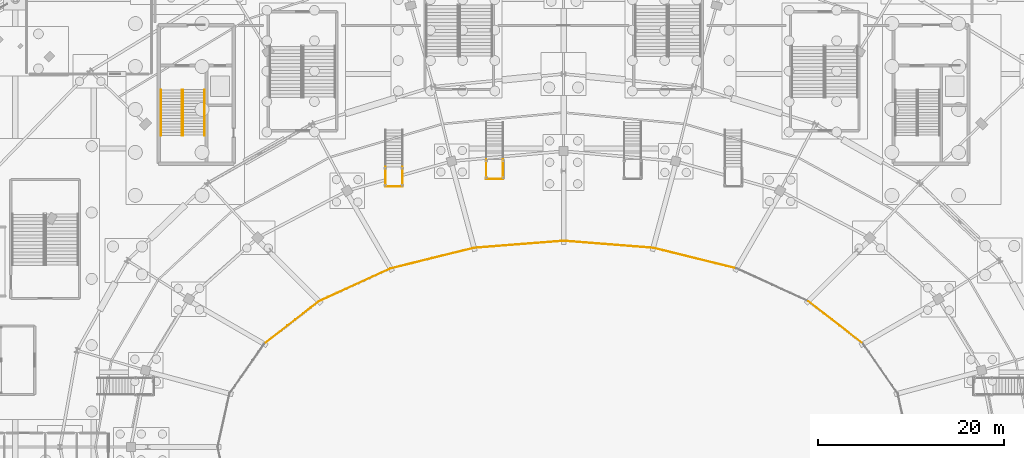
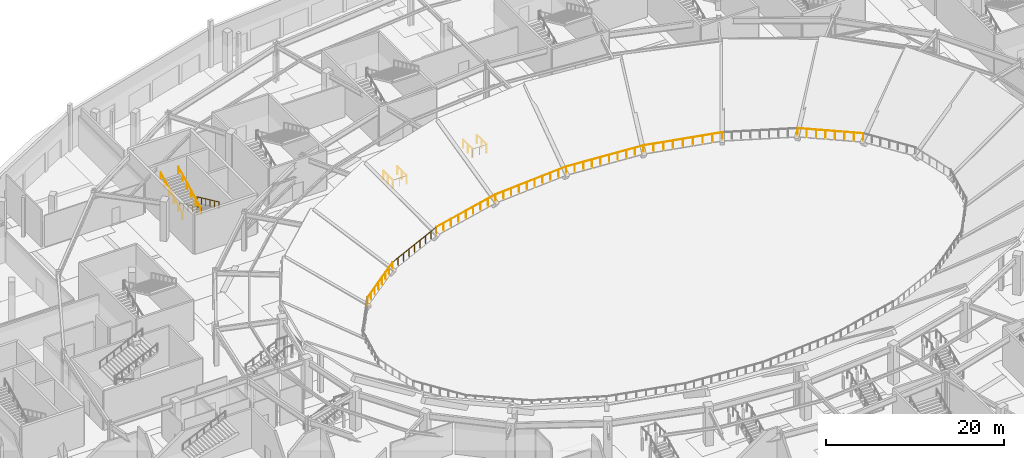
# One storey, part 79 of 93: 17 railings.
"""IFC4 building model written with IfcOpenShell, lengths in metres."""

from ifc_helpers import new_model, si_unit, direction, frame, origin, origin_2d, place, context, subcontext, project, spatial, circle, extrude, material, type_object, element, save


model = new_model("IFC4")

# Units and contexts
model_context = context("Model", 3, precision=1e-05, world=origin(), true_north=direction((0.0, 1.0)))
body_context = subcontext(model_context, "Body", "Model", "MODEL_VIEW")
ifc_project = project(units=[si_unit("LENGTHUNIT", "METRE"), si_unit("AREAUNIT", "SQUARE_METRE"), si_unit("VOLUMEUNIT", "CUBIC_METRE"), si_unit("PLANEANGLEUNIT", "RADIAN"), si_unit("MASSUNIT", "GRAM", prefix="KILO")], contexts=[model_context])

# Site, building, storey
site_placement = place(None, origin())
site = spatial("IfcSite", under=ifc_project, at=site_placement, CompositionType="ELEMENT")
building_placement = place(site_placement, origin())
building = spatial("IfcBuilding", under=site, at=building_placement, Name="Kalgoora Escarpment Arena", CompositionType="ELEMENT")
storey_placement = place(building_placement, origin())
storey = spatial("IfcBuildingStorey", under=building, at=storey_placement, Name="L00", CompositionType="ELEMENT", Elevation=0.0)

# Railings
ifc_material_1 = material(Name="Galvanised & powdercoated tubular steel", Category="steel")
railing_type_1 = type_object("IfcRailingType", Name="RAL-GUARD-1120", PredefinedType="GUARDRAIL", material=ifc_material_1)
for number, where, name in (
    (1, (73.300048828125, 94.0400390625, 1.949951171875), "Vomitory VST01 landing guard L"),
    (2, (75.10009765625, 94.0400390625, 1.949951171875), "Vomitory VST01 landing guard R"),
):
    element("IfcRailing", number, at=place(storey_placement, frame(where)), inside=storey, type_object=railing_type_1, Name=name, PredefinedType="GUARDRAIL", context=body_context, shape_type="SweptSolid", body=[
        extrude(circle(Radius=0.02392578125, at=origin_2d()), frame((0.0, 0.0, 1.09619140625), z_axis=(0.0, -1.0, 0.0), x_axis=(1.0, 0.0, 0.0)), (0.0, 0.0, 1.0), 2.10009765625),
        extrude(circle(Radius=0.02099609375, at=origin_2d()), origin(), (0.0, 0.0, 1.0), 1.072021484375),
        extrude(circle(Radius=0.02099609375, at=origin_2d()), frame((0.0, -1.050048828125, 0.0)), (0.0, 0.0, 1.0), 1.072021484375),
        extrude(circle(Radius=0.02099609375, at=origin_2d()), frame((0.0, -2.10009765625, 0.0)), (0.0, 0.0, 1.0), 1.072021484375),
    ])
railing_1_placement = place(storey_placement, frame((73.280029296875, 91.93994140625, 1.949951171875)))
element("IfcRailing", 3, at=railing_1_placement, inside=storey, type_object=railing_type_1, Name="Vomitory VST01 landing end guard", PredefinedType="GUARDRAIL", context=body_context, shape_type="SweptSolid", body=[
    extrude(circle(Radius=0.02392578125, at=origin_2d()), frame((0.0, 0.0, 1.09619140625), z_axis=(1.0, 0.0, 0.0), x_axis=(0.0, 1.0, 0.0)), (0.0, 0.0, 1.0), 1.840087890625),
    extrude(circle(Radius=0.02099609375, at=origin_2d()), origin(), (0.0, 0.0, 1.0), 1.072021484375),
    extrude(circle(Radius=0.02099609375, at=origin_2d()), frame((0.919921875, 0.0, 0.0)), (0.0, 0.0, 1.0), 1.072021484375),
    extrude(circle(Radius=0.02099609375, at=origin_2d()), frame((1.840087890625, 0.0, 0.0)), (0.0, 0.0, 1.0), 1.072021484375),
])
for number, where, name in (
    (4, (84.10009765625, 94.840087890625, 1.949951171875), "Vomitory VST02 landing guard L"),
    (5, (85.89990234375, 94.840087890625, 1.949951171875), "Vomitory VST02 landing guard R"),
):
    element("IfcRailing", number, at=place(storey_placement, frame(where)), inside=storey, type_object=railing_type_1, Name=name, PredefinedType="GUARDRAIL", context=body_context, shape_type="SweptSolid", body=[
        extrude(circle(Radius=0.02392578125, at=origin_2d()), frame((0.0, 0.0, 1.09619140625), z_axis=(0.0, -1.0, 0.0), x_axis=(1.0, 0.0, 0.0)), (0.0, 0.0, 1.0), 2.10009765625),
        extrude(circle(Radius=0.02099609375, at=origin_2d()), origin(), (0.0, 0.0, 1.0), 1.072021484375),
        extrude(circle(Radius=0.02099609375, at=origin_2d()), frame((0.0, -1.050048828125, 0.0)), (0.0, 0.0, 1.0), 1.072021484375),
        extrude(circle(Radius=0.02099609375, at=origin_2d()), frame((0.0, -2.10009765625, 0.0)), (0.0, 0.0, 1.0), 1.072021484375),
    ])
railing_2_placement = place(storey_placement, frame((84.080078125, 92.739990234375, 1.949951171875)))
element("IfcRailing", 6, at=railing_2_placement, inside=storey, type_object=railing_type_1, Name="Vomitory VST02 landing end guard", PredefinedType="GUARDRAIL", context=body_context, shape_type="SweptSolid", body=[
    extrude(circle(Radius=0.02392578125, at=origin_2d()), frame((0.0, 0.0, 1.09619140625), z_axis=(1.0, 0.0, 0.0), x_axis=(0.0, 1.0, 0.0)), (0.0, 0.0, 1.0), 1.83984375),
    extrude(circle(Radius=0.02099609375, at=origin_2d()), origin(), (0.0, 0.0, 1.0), 1.072021484375),
    extrude(circle(Radius=0.02099609375, at=origin_2d()), frame((0.919921875, 0.0, 0.0)), (0.0, 0.0, 1.0), 1.072021484375),
    extrude(circle(Radius=0.02099609375, at=origin_2d()), frame((1.83984375, 0.0, 0.0)), (0.0, 0.0, 1.0), 1.072021484375),
])
railing_3_placement = place(storey_placement, frame((124.529541015625, 75.050048828125, 0.679931640625)))
element("IfcRailing", 7, at=railing_3_placement, inside=storey, type_object=railing_type_1, Name="Lower tier front sightline guard 03", PredefinedType="GUARDRAIL", context=body_context, shape_type="SweptSolid", body=[
    extrude(circle(Radius=0.02392578125, at=origin_2d()), frame((0.0, 0.0, 1.09619140625), z_axis=(-0.789899660101, 0.613236110297, 0.0), x_axis=(-0.613236110297, -0.789899660101, 0.0)), (0.0, 0.0, 1.0), 7.4638671875),
    extrude(circle(Radius=0.02099609375, at=origin_2d()), origin(), (0.0, 0.0, 1.0), 1.072021484375),
    extrude(circle(Radius=0.02099609375, at=origin_2d()), frame((-0.84228515625, 0.65380859375, 0.0)), (0.0, 0.0, 1.0), 1.072021484375),
    extrude(circle(Radius=0.02099609375, at=origin_2d()), frame((-1.6845703125, 1.307861328125, 0.0)), (0.0, 0.0, 1.0), 1.072021484375),
    extrude(circle(Radius=0.02099609375, at=origin_2d()), frame((-2.52685546875, 1.961669921875, 0.0)), (0.0, 0.0, 1.0), 1.072021484375),
    extrude(circle(Radius=0.02099609375, at=origin_2d()), frame((-3.368896484375, 2.615478515625, 0.0)), (0.0, 0.0, 1.0), 1.072021484375),
    extrude(circle(Radius=0.02099609375, at=origin_2d()), frame((-4.211181640625, 3.269287109375, 0.0)), (0.0, 0.0, 1.0), 1.072021484375),
    extrude(circle(Radius=0.02099609375, at=origin_2d()), frame((-5.053466796875, 3.92333984375, 0.0)), (0.0, 0.0, 1.0), 1.072021484375),
    extrude(circle(Radius=0.02099609375, at=origin_2d()), frame((-5.895751953125, 4.5771484375, 0.0)), (0.0, 0.0, 1.0), 1.072021484375),
])
railing_4_placement = place(storey_placement, frame((110.949951171875, 83.13916015625, 0.679931640625)))
element("IfcRailing", 8, at=railing_4_placement, inside=storey, type_object=railing_type_1, Name="Lower tier front sightline guard 05", PredefinedType="GUARDRAIL", context=body_context, shape_type="SweptSolid", body=[
    extrude(circle(Radius=0.02392578125, at=origin_2d()), frame((0.0, 0.0, 1.09619140625), z_axis=(-0.97088278016, 0.239555060873, 0.0), x_axis=(-0.239555060873, -0.97088278016, 0.0)), (0.0, 0.0, 1.0), 9.216064453125),
    extrude(circle(Radius=0.02099609375, at=origin_2d()), origin(), (0.0, 0.0, 1.0), 1.072021484375),
    extrude(circle(Radius=0.02099609375, at=origin_2d()), frame((-1.118408203125, 0.27587890625, 0.0)), (0.0, 0.0, 1.0), 1.072021484375),
    extrude(circle(Radius=0.02099609375, at=origin_2d()), frame((-2.23681640625, 0.552001953125, 0.0)), (0.0, 0.0, 1.0), 1.072021484375),
    extrude(circle(Radius=0.02099609375, at=origin_2d()), frame((-3.35546875, 0.827880859375, 0.0)), (0.0, 0.0, 1.0), 1.072021484375),
    extrude(circle(Radius=0.02099609375, at=origin_2d()), frame((-4.473876953125, 1.10400390625, 0.0)), (0.0, 0.0, 1.0), 1.072021484375),
    extrude(circle(Radius=0.02099609375, at=origin_2d()), frame((-5.59228515625, 1.3798828125, 0.0)), (0.0, 0.0, 1.0), 1.072021484375),
    extrude(circle(Radius=0.02099609375, at=origin_2d()), frame((-6.7109375, 1.65576171875, 0.0)), (0.0, 0.0, 1.0), 1.072021484375),
    extrude(circle(Radius=0.02099609375, at=origin_2d()), frame((-7.829345703125, 1.931884765625, 0.0)), (0.0, 0.0, 1.0), 1.072021484375),
    extrude(circle(Radius=0.02099609375, at=origin_2d()), frame((-8.94775390625, 2.207763671875, 0.0)), (0.0, 0.0, 1.0), 1.072021484375),
])
railing_5_placement = place(storey_placement, frame((102.002197265625, 85.346923828125, 0.679931640625)))
element("IfcRailing", 9, at=railing_5_placement, inside=storey, type_object=railing_type_1, Name="Lower tier front sightline guard 06", PredefinedType="GUARDRAIL", context=body_context, shape_type="SweptSolid", body=[
    extrude(circle(Radius=0.02392578125, at=origin_2d()), frame((0.0, 0.0, 1.09619140625), z_axis=(-0.996937951629, 0.078196678975, 0.0), x_axis=(-0.078196678975, -0.996937951629, 0.0)), (0.0, 0.0, 1.0), 9.6318359375),
    extrude(circle(Radius=0.02099609375, at=origin_2d()), origin(), (0.0, 0.0, 1.0), 1.072021484375),
    extrude(circle(Radius=0.02099609375, at=origin_2d()), frame((-1.06689453125, 0.083740234375, 0.0)), (0.0, 0.0, 1.0), 1.072021484375),
    extrude(circle(Radius=0.02099609375, at=origin_2d()), frame((-2.1337890625, 0.16748046875, 0.0)), (0.0, 0.0, 1.0), 1.072021484375),
    extrude(circle(Radius=0.02099609375, at=origin_2d()), frame((-3.20068359375, 0.2509765625, 0.0)), (0.0, 0.0, 1.0), 1.072021484375),
    extrude(circle(Radius=0.02099609375, at=origin_2d()), frame((-4.267578125, 0.334716796875, 0.0)), (0.0, 0.0, 1.0), 1.072021484375),
    extrude(circle(Radius=0.02099609375, at=origin_2d()), frame((-5.334716796875, 0.41845703125, 0.0)), (0.0, 0.0, 1.0), 1.072021484375),
    extrude(circle(Radius=0.02099609375, at=origin_2d()), frame((-6.401611328125, 0.502197265625, 0.0)), (0.0, 0.0, 1.0), 1.072021484375),
    extrude(circle(Radius=0.02099609375, at=origin_2d()), frame((-7.468505859375, 0.585693359375, 0.0)), (0.0, 0.0, 1.0), 1.072021484375),
    extrude(circle(Radius=0.02099609375, at=origin_2d()), frame((-8.535400390625, 0.66943359375, 0.0)), (0.0, 0.0, 1.0), 1.072021484375),
    extrude(circle(Radius=0.02099609375, at=origin_2d()), frame((-9.602294921875, 0.753173828125, 0.0)), (0.0, 0.0, 1.0), 1.072021484375),
])
railing_6_placement = place(storey_placement, frame((92.39990234375, 86.10009765625, 0.679931640625)))
element("IfcRailing", 10, at=railing_6_placement, inside=storey, type_object=railing_type_1, Name="Lower tier front sightline guard 07", PredefinedType="GUARDRAIL", context=body_context, shape_type="SweptSolid", body=[
    extrude(circle(Radius=0.02392578125, at=origin_2d()), frame((0.0, 0.0, 1.09619140625), z_axis=(-0.99693779663, -0.078198655037, 0.0), x_axis=(0.078198655037, -0.99693779663, 0.0)), (0.0, 0.0, 1.0), 9.631591796875),
    extrude(circle(Radius=0.02099609375, at=origin_2d()), origin(), (0.0, 0.0, 1.0), 1.072021484375),
    extrude(circle(Radius=0.02099609375, at=origin_2d()), frame((-1.06689453125, -0.083740234375, 0.0)), (0.0, 0.0, 1.0), 1.072021484375),
    extrude(circle(Radius=0.02099609375, at=origin_2d()), frame((-2.1337890625, -0.16748046875, 0.0)), (0.0, 0.0, 1.0), 1.072021484375),
    extrude(circle(Radius=0.02099609375, at=origin_2d()), frame((-3.20068359375, -0.2509765625, 0.0)), (0.0, 0.0, 1.0), 1.072021484375),
    extrude(circle(Radius=0.02099609375, at=origin_2d()), frame((-4.267578125, -0.334716796875, 0.0)), (0.0, 0.0, 1.0), 1.072021484375),
    extrude(circle(Radius=0.02099609375, at=origin_2d()), frame((-5.33447265625, -0.41845703125, 0.0)), (0.0, 0.0, 1.0), 1.072021484375),
    extrude(circle(Radius=0.02099609375, at=origin_2d()), frame((-6.4013671875, -0.502197265625, 0.0)), (0.0, 0.0, 1.0), 1.072021484375),
    extrude(circle(Radius=0.02099609375, at=origin_2d()), frame((-7.46826171875, -0.585693359375, 0.0)), (0.0, 0.0, 1.0), 1.072021484375),
    extrude(circle(Radius=0.02099609375, at=origin_2d()), frame((-8.53515625, -0.66943359375, 0.0)), (0.0, 0.0, 1.0), 1.072021484375),
    extrude(circle(Radius=0.02099609375, at=origin_2d()), frame((-9.60205078125, -0.753173828125, 0.0)), (0.0, 0.0, 1.0), 1.072021484375),
])
railing_7_placement = place(storey_placement, frame((82.7978515625, 85.346923828125, 0.679931640625)))
element("IfcRailing", 11, at=railing_7_placement, inside=storey, type_object=railing_type_1, Name="Lower tier front sightline guard 08", PredefinedType="GUARDRAIL", context=body_context, shape_type="SweptSolid", body=[
    extrude(circle(Radius=0.02392578125, at=origin_2d()), frame((0.0, 0.0, 1.09619140625), z_axis=(-0.97088278016, -0.239555060873, 0.0), x_axis=(0.239555060873, -0.97088278016, 0.0)), (0.0, 0.0, 1.0), 9.216064453125),
    extrude(circle(Radius=0.02099609375, at=origin_2d()), origin(), (0.0, 0.0, 1.0), 1.072021484375),
    extrude(circle(Radius=0.02099609375, at=origin_2d()), frame((-1.118408203125, -0.27587890625, 0.0)), (0.0, 0.0, 1.0), 1.072021484375),
    extrude(circle(Radius=0.02099609375, at=origin_2d()), frame((-2.23681640625, -0.552001953125, 0.0)), (0.0, 0.0, 1.0), 1.072021484375),
    extrude(circle(Radius=0.02099609375, at=origin_2d()), frame((-3.35546875, -0.827880859375, 0.0)), (0.0, 0.0, 1.0), 1.072021484375),
    extrude(circle(Radius=0.02099609375, at=origin_2d()), frame((-4.473876953125, -1.10400390625, 0.0)), (0.0, 0.0, 1.0), 1.072021484375),
    extrude(circle(Radius=0.02099609375, at=origin_2d()), frame((-5.59228515625, -1.3798828125, 0.0)), (0.0, 0.0, 1.0), 1.072021484375),
    extrude(circle(Radius=0.02099609375, at=origin_2d()), frame((-6.7109375, -1.65576171875, 0.0)), (0.0, 0.0, 1.0), 1.072021484375),
    extrude(circle(Radius=0.02099609375, at=origin_2d()), frame((-7.829345703125, -1.931884765625, 0.0)), (0.0, 0.0, 1.0), 1.072021484375),
    extrude(circle(Radius=0.02099609375, at=origin_2d()), frame((-8.94775390625, -2.207763671875, 0.0)), (0.0, 0.0, 1.0), 1.072021484375),
])
railing_8_placement = place(storey_placement, frame((73.85009765625, 83.13916015625, 0.679931640625)))
element("IfcRailing", 12, at=railing_8_placement, inside=storey, type_object=railing_type_1, Name="Lower tier front sightline guard 09", PredefinedType="GUARDRAIL", context=body_context, shape_type="SweptSolid", body=[
    extrude(circle(Radius=0.02392578125, at=origin_2d()), frame((0.0, 0.0, 1.09619140625), z_axis=(-0.909503507852, -0.415696246321, 0.0), x_axis=(0.415696246321, -0.909503507852, 0.0)), (0.0, 0.0, 1.0), 8.448486328125),
    extrude(circle(Radius=0.02099609375, at=origin_2d()), origin(), (0.0, 0.0, 1.0), 1.072021484375),
    extrude(circle(Radius=0.02099609375, at=origin_2d()), frame((-0.96044921875, -0.43896484375, 0.0)), (0.0, 0.0, 1.0), 1.072021484375),
    extrude(circle(Radius=0.02099609375, at=origin_2d()), frame((-1.9208984375, -0.8779296875, 0.0)), (0.0, 0.0, 1.0), 1.072021484375),
    extrude(circle(Radius=0.02099609375, at=origin_2d()), frame((-2.88134765625, -1.31689453125, 0.0)), (0.0, 0.0, 1.0), 1.072021484375),
    extrude(circle(Radius=0.02099609375, at=origin_2d()), frame((-3.841796875, -1.755859375, 0.0)), (0.0, 0.0, 1.0), 1.072021484375),
    extrude(circle(Radius=0.02099609375, at=origin_2d()), frame((-4.802490234375, -2.195068359375, 0.0)), (0.0, 0.0, 1.0), 1.072021484375),
    extrude(circle(Radius=0.02099609375, at=origin_2d()), frame((-5.762939453125, -2.634033203125, 0.0)), (0.0, 0.0, 1.0), 1.072021484375),
    extrude(circle(Radius=0.02099609375, at=origin_2d()), frame((-6.723388671875, -3.072998046875, 0.0)), (0.0, 0.0, 1.0), 1.072021484375),
    extrude(circle(Radius=0.02099609375, at=origin_2d()), frame((-7.683837890625, -3.511962890625, 0.0)), (0.0, 0.0, 1.0), 1.072021484375),
])
railing_9_placement = place(storey_placement, frame((66.166259765625, 79.627197265625, 0.679931640625)))
element("IfcRailing", 13, at=railing_9_placement, inside=storey, type_object=railing_type_1, Name="Lower tier front sightline guard 10", PredefinedType="GUARDRAIL", context=body_context, shape_type="SweptSolid", body=[
    extrude(circle(Radius=0.02392578125, at=origin_2d()), frame((0.0, 0.0, 1.09619140625), z_axis=(-0.789899660101, -0.613236110297, 0.0), x_axis=(0.613236110297, -0.789899660101, 0.0)), (0.0, 0.0, 1.0), 7.4638671875),
    extrude(circle(Radius=0.02099609375, at=origin_2d()), origin(), (0.0, 0.0, 1.0), 1.072021484375),
    extrude(circle(Radius=0.02099609375, at=origin_2d()), frame((-0.84228515625, -0.65380859375, 0.0)), (0.0, 0.0, 1.0), 1.072021484375),
    extrude(circle(Radius=0.02099609375, at=origin_2d()), frame((-1.6845703125, -1.307861328125, 0.0)), (0.0, 0.0, 1.0), 1.072021484375),
    extrude(circle(Radius=0.02099609375, at=origin_2d()), frame((-2.52685546875, -1.961669921875, 0.0)), (0.0, 0.0, 1.0), 1.072021484375),
    extrude(circle(Radius=0.02099609375, at=origin_2d()), frame((-3.368896484375, -2.615478515625, 0.0)), (0.0, 0.0, 1.0), 1.072021484375),
    extrude(circle(Radius=0.02099609375, at=origin_2d()), frame((-4.211181640625, -3.269287109375, 0.0)), (0.0, 0.0, 1.0), 1.072021484375),
    extrude(circle(Radius=0.02099609375, at=origin_2d()), frame((-5.053466796875, -3.92333984375, 0.0)), (0.0, 0.0, 1.0), 1.072021484375),
    extrude(circle(Radius=0.02099609375, at=origin_2d()), frame((-5.895751953125, -4.5771484375, 0.0)), (0.0, 0.0, 1.0), 1.072021484375),
])
ifc_material_2 = material(Name="Brushed stainless steel 316 handrail", Category="steel")
railing_type_2 = type_object("IfcRailingType", Name="RAL-HAND-920", PredefinedType="HANDRAIL", material=ifc_material_2)
for number, where, name in (
    (14, (53.89990234375, 102.31005859375, 0.37890625), "ST03 L00 pitched stair handrail F1L"),
    (15, (51.610107421875, 102.31005859375, 0.37890625), "ST03 L00 pitched stair handrail F1R"),
):
    element("IfcRailing", number, at=place(storey_placement, frame(where)), inside=storey, type_object=railing_type_2, Name=name, PredefinedType="HANDRAIL", context=body_context, shape_type="SweptSolid", body=[
        extrude(circle(Radius=0.02392578125, at=origin_2d()), frame((0.0, 0.0, 0.89599609375), z_axis=(0.0, -0.906917908097, 0.421307379443), x_axis=(1.0, 0.0, 0.0)), (0.0, 0.0, 1.0), 5.4140625),
        extrude(circle(Radius=0.02099609375, at=origin_2d()), origin(), (0.0, 0.0, 1.0), 0.871826171875),
        extrude(circle(Radius=0.02099609375, at=origin_2d()), frame((0.0, -0.98193359375, 0.456298828125)), (0.0, 0.0, 1.0), 0.871826171875),
        extrude(circle(Radius=0.02099609375, at=origin_2d()), frame((0.0, -1.964111328125, 0.912353515625)), (0.0, 0.0, 1.0), 0.871826171875),
        extrude(circle(Radius=0.02099609375, at=origin_2d()), frame((0.0, -2.946044921875, 1.36865234375)), (0.0, 0.0, 1.0), 0.871826171875),
        extrude(circle(Radius=0.02099609375, at=origin_2d()), frame((0.0, -3.92822265625, 1.82470703125)), (0.0, 0.0, 1.0), 0.871826171875),
        extrude(circle(Radius=0.02099609375, at=origin_2d()), frame((0.0, -4.91015625, 2.281005859375)), (0.0, 0.0, 1.0), 0.871826171875),
    ])
for number, where, name in (
    (16, (51.489990234375, 97.39990234375, 2.81884765625), "ST03 L00 pitched stair handrail F2L"),
    (17, (49.199951171875, 97.39990234375, 2.81884765625), "ST03 L00 pitched stair handrail F2R"),
):
    element("IfcRailing", number, at=place(storey_placement, frame(where)), inside=storey, type_object=railing_type_2, Name=name, PredefinedType="HANDRAIL", context=body_context, shape_type="SweptSolid", body=[
        extrude(circle(Radius=0.02392578125, at=origin_2d()), frame((0.0, 0.0, 0.89599609375), z_axis=(0.0, 0.88810515041, 0.459640339629), x_axis=(-1.0, 0.0, 0.0)), (0.0, 0.0, 1.0), 5.52880859375),
        extrude(circle(Radius=0.02099609375, at=origin_2d()), origin(), (0.0, 0.0, 1.0), 0.871826171875),
        extrude(circle(Radius=0.02099609375, at=origin_2d()), frame((0.0, 0.98193359375, 0.50830078125)), (0.0, 0.0, 1.0), 0.871826171875),
        extrude(circle(Radius=0.02099609375, at=origin_2d()), frame((0.0, 1.964111328125, 1.0166015625)), (0.0, 0.0, 1.0), 0.871826171875),
        extrude(circle(Radius=0.02099609375, at=origin_2d()), frame((0.0, 2.946044921875, 1.524658203125)), (0.0, 0.0, 1.0), 0.871826171875),
        extrude(circle(Radius=0.02099609375, at=origin_2d()), frame((0.0, 3.92822265625, 2.032958984375)), (0.0, 0.0, 1.0), 0.871826171875),
        extrude(circle(Radius=0.02099609375, at=origin_2d()), frame((0.0, 4.91015625, 2.541259765625)), (0.0, 0.0, 1.0), 0.871826171875),
    ])

save(model, "model.ifc")
